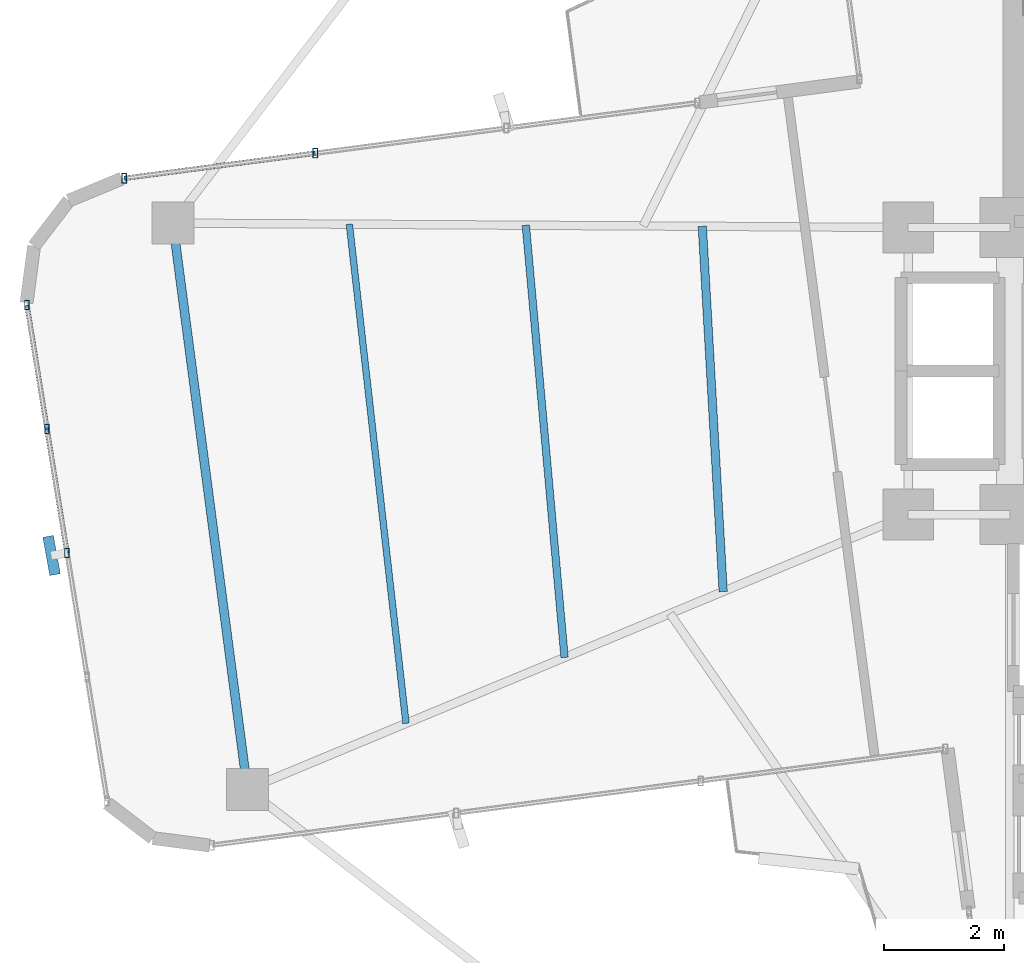
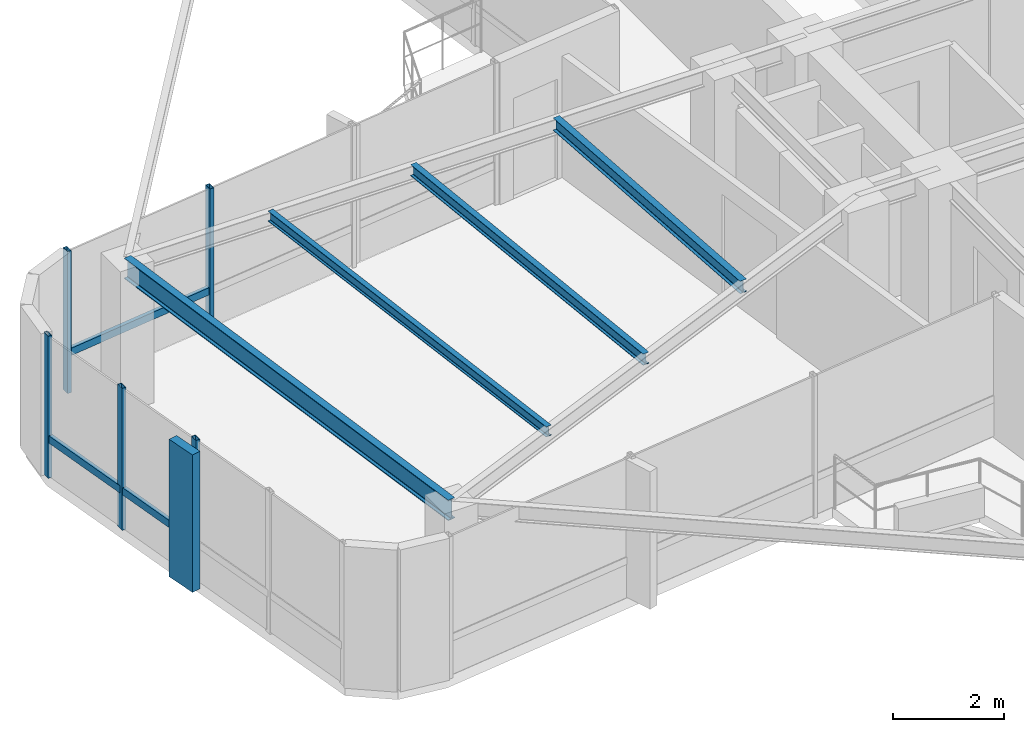
# One storey, part 7 of 22: 9 members, 4 beams, 2 elements without a shape of their own.
"""IFC4 building model written with IfcOpenShell, lengths in metres."""

from ifc_helpers import new_model, si_unit, direction, frame, origin, origin_2d, place, context, subcontext, project, spatial, rectangle, hollow_rectangle, i_section, extrude, source, transform, mapped, material, material_profile, profile_set, type_object, element, aggregate, save


model = new_model("IFC4")

# Units and contexts
model_context = context("Model", 3, precision=1e-05, world=origin(), true_north=direction((0.0, 1.0)))
body_context = subcontext(model_context, "Body", "Model", "MODEL_VIEW")
ifc_project = project(units=[si_unit("LENGTHUNIT", "METRE"), si_unit("AREAUNIT", "SQUARE_METRE"), si_unit("VOLUMEUNIT", "CUBIC_METRE"), si_unit("PLANEANGLEUNIT", "RADIAN"), si_unit("MASSUNIT", "GRAM", prefix="KILO")], contexts=[model_context])

# Site, building, storey
site_placement = place(None, origin())
site = spatial("IfcSite", under=ifc_project, at=site_placement, CompositionType="ELEMENT")
building_placement = place(site_placement, origin())
building = spatial("IfcBuilding", under=site, at=building_placement, Name="Sahyath Konkavel Grand Hotel", CompositionType="ELEMENT")
storey_placement = place(building_placement, frame((0.0, 0.0, 237.800048828125)))
storey = spatial("IfcBuildingStorey", under=building, at=storey_placement, Name="L66", CompositionType="ELEMENT", Elevation=237.800048828125)

# Beams
ifc_material_1 = material(Name="Steel E350", Category="steel")
ifc_material_profile_1 = material_profile(ifc_material_1, i_section(OverallWidth=0.14990234375, OverallDepth=0.449951171875, WebThickness=0.009521484375, FlangeThickness=0.017333984375, FilletRadius=0.014892578125, at=origin_2d()), Name="ISMB 450")
ifc_profile_set_1 = profile_set([ifc_material_profile_1], Name="Steel E350")
beam_type_1 = type_object("IfcBeamType", Name="BM-ISMB450", PredefinedType="BEAM", material=ifc_profile_set_1)
shared_shape_1 = source(origin(), body_context, "Body", "SweptSolid", [
    extrude(i_section(OverallWidth=0.14990234375, OverallDepth=0.449951171875, WebThickness=0.009521484375, FlangeThickness=0.017333984375, FilletRadius=0.014892578125, at=origin_2d()), origin(), (0.0, 0.0, 1.0), 9.550048828125),
])
beam_1_placement = place(storey_placement, frame((-17.795166015625, 2.473388671875, 2.885009765625), z_axis=(0.130532545797, -0.991444024889, 0.0), x_axis=(0.991444024889, 0.130532545797, 0.0)))
element("IfcBeam", 1, at=beam_1_placement, inside=storey, type_object=beam_type_1, Name="L66 Wing Tip Edge Beam W", PredefinedType="BEAM", context=body_context, shape_type="MappedRepresentation", body=[
    mapped(shared_shape_1, transform((0.0, 0.0, 0.0), scale=1.0)),
])
ifc_material_profile_2 = material_profile(ifc_material_1, i_section(OverallWidth=0.139892578125, OverallDepth=0.27490234375, WebThickness=0.00634765625, FlangeThickness=0.0087890625, FilletRadius=0.012939453125, at=origin_2d()), Name="ISLB 275")
ifc_profile_set_2 = profile_set([ifc_material_profile_2], Name="Steel E350")
beam_type_2 = type_object("IfcBeamType", Name="BM-ISLB275", PredefinedType="BEAM", material=ifc_profile_set_2)
shared_shape_2 = source(origin(), body_context, "Body", "SweptSolid", [
    extrude(i_section(OverallWidth=0.139892578125, OverallDepth=0.27490234375, WebThickness=0.00634765625, FlangeThickness=0.0087890625, FilletRadius=0.012939453125, at=origin_2d()), origin(), (0.0, 0.0, 1.0), 6.1171875),
])
beam_2_placement = place(storey_placement, frame((-8.942626953125, 2.420654296875, 2.972412109375), z_axis=(0.0570725225, -0.998370035195, 0.0), x_axis=(0.998370035195, 0.0570725225, 0.0)))
element("IfcBeam", 2, at=beam_2_placement, inside=storey, type_object=beam_type_2, Name="L66 Secondary Floor Beam W-1", PredefinedType="BEAM", context=body_context, shape_type="MappedRepresentation", body=[
    mapped(shared_shape_2, transform((0.0, 0.0, 0.0), scale=1.0)),
])
ifc_material_profile_3 = material_profile(ifc_material_1, i_section(OverallWidth=0.125, OverallDepth=0.25, WebThickness=0.0068359375, FlangeThickness=0.012451171875, FilletRadius=0.012939453125, at=origin_2d()), Name="ISMB 250")
ifc_profile_set_3 = profile_set([ifc_material_profile_3], Name="Steel E350")
beam_type_3 = type_object("IfcBeamType", Name="BM-ISMB250", PredefinedType="BEAM", material=ifc_profile_set_3)
shared_shape_3 = source(origin(), body_context, "Body", "SweptSolid", [
    extrude(i_section(OverallWidth=0.125, OverallDepth=0.25, WebThickness=0.0068359375, FlangeThickness=0.012451171875, FilletRadius=0.012939453125, at=origin_2d()), origin(), (0.0, 0.0, 1.0), 7.256591796875),
])
beam_3_placement = place(storey_placement, frame((-11.8935546875, 2.438232421875, 2.98486328125), z_axis=(0.089325315772, -0.996002503994, 0.0), x_axis=(0.996002503994, 0.089325315772, 0.0)))
element("IfcBeam", 3, at=beam_3_placement, inside=storey, type_object=beam_type_3, Name="L66 Secondary Floor Beam W-2", PredefinedType="BEAM", context=body_context, shape_type="MappedRepresentation", body=[
    mapped(shared_shape_3, transform((0.0, 0.0, 0.0), scale=1.0)),
])
ifc_material_profile_4 = material_profile(ifc_material_1, i_section(OverallWidth=0.110107421875, OverallDepth=0.22509765625, WebThickness=0.006591796875, FlangeThickness=0.01171875, FilletRadius=0.011962890625, at=origin_2d()), Name="ISMB 225")
ifc_profile_set_4 = profile_set([ifc_material_profile_4], Name="Steel E350")
beam_type_4 = type_object("IfcBeamType", Name="BM-ISMB225", PredefinedType="BEAM", material=ifc_profile_set_4)
shared_shape_4 = source(origin(), body_context, "Body", "SweptSolid", [
    extrude(i_section(OverallWidth=0.110107421875, OverallDepth=0.22509765625, WebThickness=0.006591796875, FlangeThickness=0.01171875, FilletRadius=0.011962890625, at=origin_2d()), origin(), (0.0, 0.0, 1.0), 8.4013671875),
])
beam_4_placement = place(storey_placement, frame((-14.84423828125, 2.455810546875, 2.99755859375), z_axis=(0.112749942138, -0.993623394726, 0.0), x_axis=(0.993623394726, 0.112749942138, 0.0)))
element("IfcBeam", 4, at=beam_4_placement, inside=storey, type_object=beam_type_4, Name="L66 Secondary Floor Beam W-3", PredefinedType="BEAM", context=body_context, shape_type="MappedRepresentation", body=[
    mapped(shared_shape_4, transform((0.0, 0.0, 0.0), scale=1.0)),
])

# Curtain wall, members
ifc_material_2 = material(Name="Anodised Bronze Aluminium & Low-E Glazing", Category="aluminium")
curtain_wall_type = type_object("IfcCurtainWallType", Name="CW-ZONE4", PredefinedType="NOTDEFINED", material=ifc_material_2)
curtain_wall_1_placement = place(storey_placement, origin())
curtain_wall_1 = element("IfcCurtainWall", 5, at=curtain_wall_1_placement, inside=storey, type_object=curtain_wall_type, Name="L66 Unitised Curtain Wall F16", PredefinedType="NOTDEFINED")
ifc_material_3 = material(Name="Anodised Bronze Aluminium", Category="aluminium")
ifc_material_profile_5 = material_profile(ifc_material_3, hollow_rectangle(XDim=0.080078125, YDim=0.159912109375, WallThickness=0.006103515625, at=origin_2d()), Name="RHS 160x80x6")
ifc_profile_set_5 = profile_set([ifc_material_profile_5], Name="Anodised Bronze Aluminium")
member_type_1 = type_object("IfcMemberType", Name="CW-MUL-160", PredefinedType="MULLION", material=ifc_profile_set_5)
shared_shape_5 = source(origin(), body_context, "Body", "SweptSolid", [
    extrude(hollow_rectangle(XDim=0.080078125, YDim=0.159912109375, WallThickness=0.006103515625, at=origin_2d()), origin(), (0.0, 0.0, 1.0), 3.10986328125),
])
member_1_placement = place(storey_placement, frame((-15.415771484375, 3.64404296875, 0.0), z_axis=(0.0, 0.0, 1.0), x_axis=(1.0, 0.0, 0.0)))
member_1 = element("IfcMember", 6, at=member_1_placement, type_object=member_type_1, Name="L66 Curtain Wall Mullion F16-2", PredefinedType="MULLION", context=body_context, shape_type="MappedRepresentation", body=[
    mapped(shared_shape_5, transform((0.0, 0.0, 0.0), scale=1.0)),
])
member_2_placement = place(storey_placement, frame((-18.60986328125, 3.223388671875, 0.0), z_axis=(0.0, 0.0, 1.0), x_axis=(1.0, 0.0, 0.0)))
member_2 = element("IfcMember", 7, at=member_2_placement, type_object=member_type_1, Name="L66 Curtain Wall Mullion F16-3", PredefinedType="MULLION", context=body_context, shape_type="MappedRepresentation", body=[
    mapped(shared_shape_5, transform((0.0, 0.0, 0.0), scale=1.0)),
])

curtain_wall_2_placement = place(storey_placement, origin())
curtain_wall_2 = element("IfcCurtainWall", 8, at=curtain_wall_2_placement, inside=storey, type_object=curtain_wall_type, Name="L66 Unitised Curtain Wall F20", PredefinedType="NOTDEFINED")
member_3_placement = place(storey_placement, frame((-20.23583984375, 1.10302734375, 0.0), z_axis=(0.0, 0.0, 1.0), x_axis=(1.0, 0.0, 0.0)))
member_3 = element("IfcMember", 9, at=member_3_placement, type_object=member_type_1, Name="L66 Curtain Wall Mullion F20-0", PredefinedType="MULLION", context=body_context, shape_type="MappedRepresentation", body=[
    mapped(shared_shape_5, transform((0.0, 0.0, 0.0), scale=1.0)),
])
member_4_placement = place(storey_placement, frame((-19.901123046875, -0.9697265625, 0.0), z_axis=(0.0, 0.0, 1.0), x_axis=(1.0, 0.0, 0.0)))
member_4 = element("IfcMember", 10, at=member_4_placement, type_object=member_type_1, Name="L66 Curtain Wall Mullion F20-1", PredefinedType="MULLION", context=body_context, shape_type="MappedRepresentation", body=[
    mapped(shared_shape_5, transform((0.0, 0.0, 0.0), scale=1.0)),
])
member_5_placement = place(storey_placement, frame((-19.56640625, -3.04248046875, 0.0), z_axis=(0.0, 0.0, 1.0), x_axis=(1.0, 0.0, 0.0)))
member_5 = element("IfcMember", 11, at=member_5_placement, type_object=member_type_1, Name="L66 Curtain Wall Mullion F20-2", PredefinedType="MULLION", context=body_context, shape_type="MappedRepresentation", body=[
    mapped(shared_shape_5, transform((0.0, 0.0, 0.0), scale=1.0)),
])
ifc_material_4 = material(Name="Warm Buff Sandstone Cladding on Concrete C50/60", Category="masonry")
ifc_material_profile_6 = material_profile(ifc_material_4, rectangle(XDim=0.179931640625, YDim=0.64990234375, at=origin_2d()), Name="FIN 180x650")
ifc_profile_set_6 = profile_set([ifc_material_profile_6], Name="Warm Buff Sandstone Cladding on Concrete C50/60")
member_type_2 = type_object("IfcMemberType", Name="FIN-SANDSTONE-650", PredefinedType="MULLION", material=ifc_profile_set_6)
shared_shape_6 = source(origin(), body_context, "Body", "SweptSolid", [
    extrude(rectangle(XDim=0.179931640625, YDim=0.64990234375, at=origin_2d()), origin(), (0.0, 0.0, 1.0), 3.010009765625),
])
member_6_placement = place(storey_placement, frame((-19.822998046875, -3.083984375, 0.050048828125), z_axis=(0.0, 0.0, 1.0), x_axis=(0.98372862895, 0.179660748593, 0.0)))
member_6 = element("IfcMember", 12, at=member_6_placement, type_object=member_type_2, Name="L66 Sandstone Vertical Solar Fin FIN F20-2", PredefinedType="MULLION", context=body_context, shape_type="MappedRepresentation", body=[
    mapped(shared_shape_6, transform((0.0, 0.0, 0.0), scale=1.0)),
])

# Member
ifc_material_profile_7 = material_profile(ifc_material_3, hollow_rectangle(XDim=0.080078125, YDim=0.159912109375, WallThickness=0.006103515625, at=origin_2d()), Name="RHS 160x80x6")
ifc_profile_set_7 = profile_set([ifc_material_profile_7], Name="Anodised Bronze Aluminium")
member_type_3 = type_object("IfcMemberType", Name="CW-TRN-160", PredefinedType="USERDEFINED", material=ifc_profile_set_7)
shared_shape_7 = source(origin(), body_context, "Body", "SweptSolid", [
    extrude(hollow_rectangle(XDim=0.080078125, YDim=0.159912109375, WallThickness=0.006103515625, at=origin_2d()), origin(), (0.0, 0.0, 1.0), 3.2216796875),
])
member_7_placement = place(storey_placement, frame((-15.415771484375, 3.64404296875, 0.849853515625), z_axis=(-0.99143907075, -0.130570168838, 0.0), x_axis=(0.130570168838, -0.99143907075, 0.0)))
member_7 = element("IfcMember", 13, at=member_7_placement, type_object=member_type_3, Name="L66 Curtain Wall Transom F16-2-spandrel", ObjectType="TRANSOM", PredefinedType="USERDEFINED", context=body_context, shape_type="MappedRepresentation", body=[
    mapped(shared_shape_7, transform((0.0, 0.0, 0.0), scale=1.0)),
])

aggregate(curtain_wall_1, [member_1, member_2, member_7])

shared_shape_8 = source(origin(), body_context, "Body", "SweptSolid", [
    extrude(hollow_rectangle(XDim=0.080078125, YDim=0.159912109375, WallThickness=0.006103515625, at=origin_2d()), origin(), (0.0, 0.0, 1.0), 2.099609375),
])
member_8_placement = place(storey_placement, frame((-20.23583984375, 1.10302734375, 0.849853515625), z_axis=(0.159418883785, -0.987211030881, 0.0), x_axis=(0.987211030881, 0.159418883785, 0.0)))
member_8 = element("IfcMember", 14, at=member_8_placement, type_object=member_type_3, Name="L66 Curtain Wall Transom F20-0-spandrel", ObjectType="TRANSOM", PredefinedType="USERDEFINED", context=body_context, shape_type="MappedRepresentation", body=[
    mapped(shared_shape_8, transform((0.0, 0.0, 0.0), scale=1.0)),
])

member_9_placement = place(storey_placement, frame((-19.901123046875, -0.9697265625, 0.849853515625), z_axis=(0.159418883785, -0.987211030881, 0.0), x_axis=(0.987211030881, 0.159418883785, 0.0)))
member_9 = element("IfcMember", 15, at=member_9_placement, type_object=member_type_3, Name="L66 Curtain Wall Transom F20-1-spandrel", ObjectType="TRANSOM", PredefinedType="USERDEFINED", context=body_context, shape_type="MappedRepresentation", body=[
    mapped(shared_shape_8, transform((0.0, 0.0, 0.0), scale=1.0)),
])

aggregate(curtain_wall_2, [member_3, member_4, member_5, member_6, member_8, member_9])

save(model, "model.ifc")
